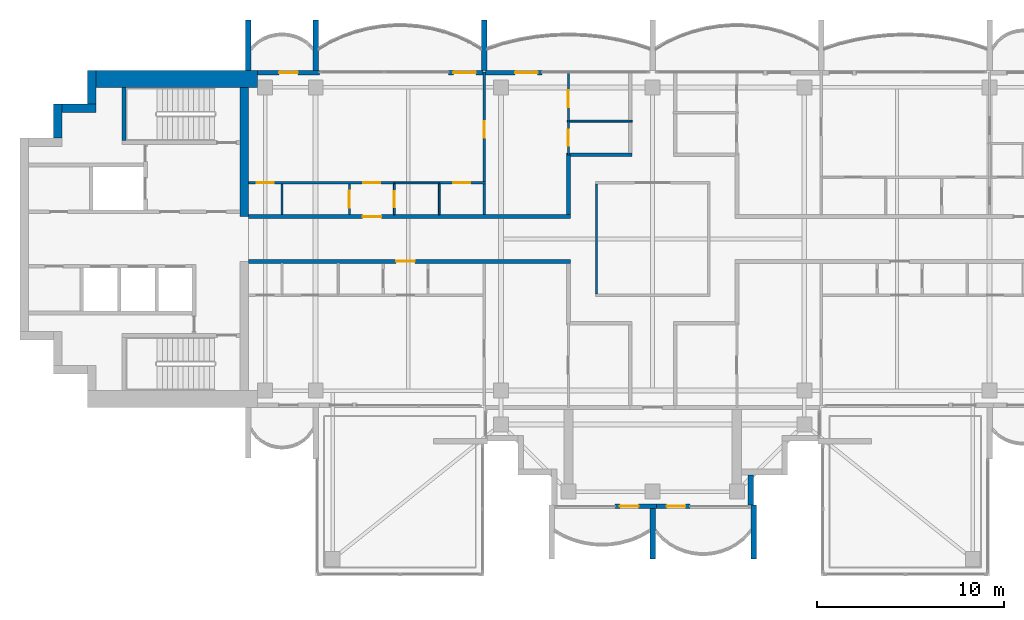
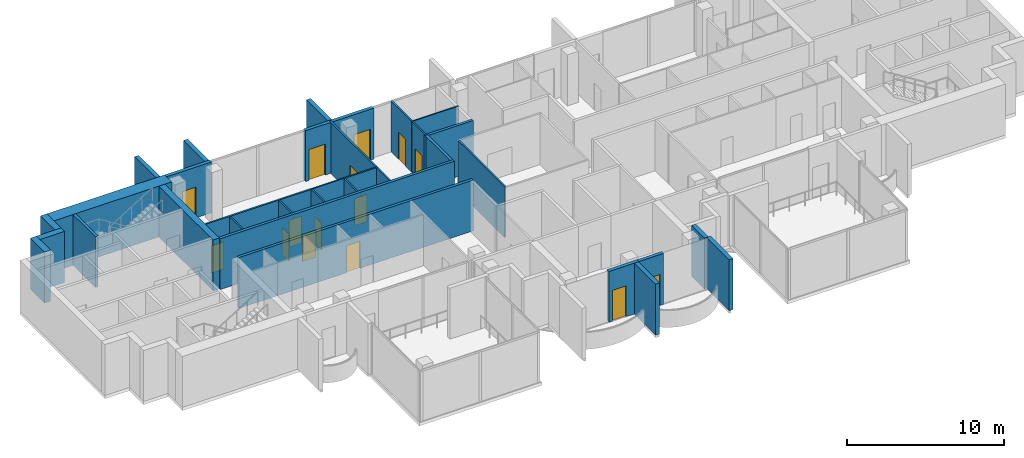
# One storey, part 8 of 16: 33 walls, 15 doors, 15 openings.
"""IFC4 building model written with IfcOpenShell, lengths in metres."""

import ifcopenshell
import ifcopenshell.guid

model = None  # the IFC model being written
_history = None  # IfcOwnerHistory: only IFC2X3 demands one
_inside = {}  # id of a spatial element -> (the spatial element, [elements in it])
_under = {}  # id of a project, library or spatial element -> (it, [spatial elements below it])
_declared = {}  # id of a project -> (the project, [libraries it declares])
_typed = {}  # id of a type object -> (the type object, [elements of that type])
_made_of = {}  # id of a material, layer set ... -> (it, [elements and type objects made of it])


def new_model(schema):
    """Start an empty IFC model of exactly this schema.

    Asked for "IFC4X3", IfcOpenShell would pick the latest addendum, in which some entities
    have other attributes; the version numbers below select the first issue.
    IFC2X3 requires an IfcOwnerHistory on every rooted entity: one is made here for all.
    """
    global model, _history
    if schema == "IFC4X3":
        model = ifcopenshell.file(schema_version=(4, 3, 0, 0))
    else:
        model = ifcopenshell.file(schema=schema)
    _inside.clear()
    _under.clear()
    _declared.clear()
    _typed.clear()
    _made_of.clear()
    _history = None
    if model.schema == "IFC2X3":
        org = make("IfcOrganization", Name="unknown")
        user = make(
            "IfcPersonAndOrganization",
            ThePerson=make("IfcPerson", FamilyName="unknown"),
            TheOrganization=org,
        )
        app = make(
            "IfcApplication",
            ApplicationDeveloper=org,
            Version="unknown",
            ApplicationFullName="unknown",
            ApplicationIdentifier="unknown",
        )
        _history = make(
            "IfcOwnerHistory",
            OwningUser=user,
            OwningApplication=app,
            ChangeAction="ADDED",
            CreationDate=0,
        )
    return model


def make(cls, **values):
    """One entity of the class cls with the attributes given. An attribute that is None is left unset."""
    return model.create_entity(
        cls, **{name: value for name, value in values.items() if value is not None}
    )


def rooted(cls, **values):
    """An entity with a GlobalId (a new one), such as an element, a storey or a relation."""
    return make(cls, GlobalId=ifcopenshell.guid.new(), OwnerHistory=_history, **values)


def si_unit(unit_type, name, prefix=None):
    """IfcSIUnit, for example si_unit("LENGTHUNIT", "METRE", prefix="MILLI")."""
    return make("IfcSIUnit", UnitType=unit_type, Prefix=prefix, Name=name)


def assignment(units):
    """IfcUnitAssignment: the units of a project."""
    return None if units is None else make("IfcUnitAssignment", Units=units)


def point(xyz):
    """IfcCartesianPoint."""
    return None if xyz is None else make("IfcCartesianPoint", Coordinates=xyz)


def direction(xyz):
    """IfcDirection."""
    return None if xyz is None else make("IfcDirection", DirectionRatios=xyz)


def frame(location, z_axis=None, x_axis=None):
    """IfcAxis2Placement3D, a coordinate frame: its origin and axes. An axis left out is left unset."""
    return make(
        "IfcAxis2Placement3D",
        Location=point(location),
        Axis=direction(z_axis),
        RefDirection=direction(x_axis),
    )


def frame_2d(location, x_axis=None):
    """IfcAxis2Placement2D, a coordinate frame in the plane: its origin and x axis."""
    return make(
        "IfcAxis2Placement2D", Location=point(location), RefDirection=direction(x_axis)
    )


def origin():
    """The frame at (0, 0, 0) with its axes left unset."""
    return frame((0.0, 0.0, 0.0))


def place(relative_to, where):
    """IfcLocalPlacement: puts the frame where relative to a parent placement (None: the world)."""
    return make(
        "IfcLocalPlacement", PlacementRelTo=relative_to, RelativePlacement=where
    )


def context(
    kind, dimensions, precision=None, world=None, true_north=None, identifier=None
):
    """IfcGeometricRepresentationContext, for example the 3D "Model" context."""
    return make(
        "IfcGeometricRepresentationContext",
        ContextIdentifier=identifier,
        ContextType=kind,
        CoordinateSpaceDimension=dimensions,
        Precision=precision,
        WorldCoordinateSystem=world,
        TrueNorth=true_north,
    )


def subcontext(parent, identifier, kind, view, scale=None):
    """IfcGeometricRepresentationSubContext, for example "Body" below "Model"."""
    return make(
        "IfcGeometricRepresentationSubContext",
        ContextIdentifier=identifier,
        ContextType=kind,
        ParentContext=parent,
        TargetScale=scale,
        TargetView=view,
    )


def project(units=None, contexts=None):
    """IfcProject with its units and contexts."""
    return rooted(
        "IfcProject",
        Name="project",
        RepresentationContexts=contexts,
        UnitsInContext=assignment(units),
    )


def spatial(cls, under=None, at=None, **own):
    """A site, building, storey or space (cls), placed at a placement, below another one or the project."""
    s = rooted(cls, ObjectPlacement=at, **own)
    if under is not None:
        _under.setdefault(under.id(), (under, []))[1].append(s)
    return s


def profile(cls, at=None, kind="AREA", **sizes):
    """A parametric profile (cls). Its sizes go by their IFC names, for example OverallWidth=200.0."""
    return make(cls, ProfileType=kind, Position=at, **sizes)


def rectangle(**sizes):
    """IfcRectangleProfileDef."""
    return profile("IfcRectangleProfileDef", **sizes)


def extrude(swept, where, along, depth):
    """IfcExtrudedAreaSolid: the profile swept, set in the frame where, extruded along a direction by depth."""
    return make(
        "IfcExtrudedAreaSolid",
        SweptArea=swept,
        Position=where,
        ExtrudedDirection=direction(along),
        Depth=depth,
    )


def shape(context_of_items, identifier, shape_type, items):
    """IfcShapeRepresentation: the items that make up one representation, for example the "Body"."""
    return make(
        "IfcShapeRepresentation",
        ContextOfItems=context_of_items,
        RepresentationIdentifier=identifier,
        RepresentationType=shape_type,
        Items=items,
    )


def material(Name=None, Category=None):
    """IfcMaterial."""
    return make("IfcMaterial", Name=Name, Category=Category)


def layer(
    of_material, thickness, ventilated=None, Name=None, Category=None, Priority=None
):
    """IfcMaterialLayer: one layer of a wall or slab, of a material (None: an air gap)."""
    return make(
        "IfcMaterialLayer",
        Material=of_material,
        LayerThickness=thickness,
        IsVentilated=ventilated,
        Name=Name,
        Category=Category,
        Priority=Priority,
    )


def layer_set(layers, Name=None):
    """IfcMaterialLayerSet."""
    return make("IfcMaterialLayerSet", MaterialLayers=layers, LayerSetName=Name)


def made_of(thing, what):
    """Note that an element or type object is made of a material, layer set ...; save() writes the relation."""
    if what is not None:
        _made_of.setdefault(what.id(), (what, []))[1].append(thing)
    return thing


def type_object(cls, material=None, **own):
    """A type object (cls), such as IfcWallType, which elements share."""
    return made_of(rooted(cls, **own), material)


def element(
    cls,
    number,
    at=None,
    inside=None,
    cuts=None,
    type_object=None,
    material=None,
    context=None,
    identifier="Body",
    shape_type=None,
    held_by="IfcProductDefinitionShape",
    body=None,
    shapes=None,
    **own,
):
    """One element of the class cls, such as IfcWall. Its Tag is "e" and its number.

    at: its placement. inside: the storey or other place that contains it. cuts: it is an
    opening in that element (IfcRelVoidsElement). A single representation is given by context,
    identifier, shape_type and body (its items); several are given by shapes. held_by: the class
    of the entity that holds the representations. save() writes the other relations.
    """
    e = rooted(cls, Tag="e%d" % number, ObjectPlacement=at, **own)
    if body is not None:
        shapes = [shape(context, identifier, shape_type, body)]
    if shapes is not None:
        e.Representation = make(held_by, Representations=shapes)
    if inside is not None:
        _inside.setdefault(inside.id(), (inside, []))[1].append(e)
    if cuts is not None:
        rooted(
            "IfcRelVoidsElement", RelatingBuildingElement=cuts, RelatedOpeningElement=e
        )
    if type_object is not None:
        _typed.setdefault(type_object.id(), (type_object, []))[1].append(e)
    return made_of(e, material)


def fill(opening, filler):
    """IfcRelFillsElement: the door or window that sits in an opening."""
    return rooted(
        "IfcRelFillsElement",
        RelatingOpeningElement=opening,
        RelatedBuildingElement=filler,
    )


def aggregate(whole, parts):
    """IfcRelAggregates: a whole, such as a stair, and the parts it consists of."""
    return rooted("IfcRelAggregates", RelatingObject=whole, RelatedObjects=parts)


def save(model, path):
    """Write the relations noted so far, then the file.

    IfcRelAggregates (storeys below a building ...), IfcRelContainedInSpatialStructure (elements
    in a storey), IfcRelDefinesByType, IfcRelAssociatesMaterial and IfcRelDeclares: one each for
    every whole, place, type object, material and project.
    """
    for whole, parts in _under.values():
        aggregate(whole, parts)
    for where, things in _inside.values():
        rooted(
            "IfcRelContainedInSpatialStructure",
            RelatedElements=things,
            RelatingStructure=where,
        )
    for kind, things in _typed.values():
        rooted("IfcRelDefinesByType", RelatedObjects=things, RelatingType=kind)
    for what, things in _made_of.values():
        rooted("IfcRelAssociatesMaterial", RelatedObjects=things, RelatingMaterial=what)
    for by, libraries in _declared.values():
        rooted("IfcRelDeclares", RelatingContext=by, RelatedDefinitions=libraries)
    model.write(path)


model = new_model("IFC4")

# Units and contexts
model_context = context("Model", 3, precision=1e-05, world=origin(), true_north=direction((0.0, 1.0)))
body_context = subcontext(model_context, "Body", "Model", "MODEL_VIEW")
ifc_project = project(units=[si_unit("LENGTHUNIT", "METRE"), si_unit("AREAUNIT", "SQUARE_METRE"), si_unit("VOLUMEUNIT", "CUBIC_METRE"), si_unit("PLANEANGLEUNIT", "RADIAN"), si_unit("MASSUNIT", "GRAM", prefix="KILO")], contexts=[model_context])

# Site, building, storey
site_placement = place(None, origin())
site = spatial("IfcSite", under=ifc_project, at=site_placement, CompositionType="ELEMENT")
building_placement = place(site_placement, origin())
building = spatial("IfcBuilding", under=site, at=building_placement, Name="Perihelion Cross Residences", CompositionType="ELEMENT")
storey_placement = place(building_placement, frame((0.0, 0.0, 294.60009765625)))
storey = spatial("IfcBuildingStorey", under=building, at=storey_placement, Name="L75", CompositionType="ELEMENT", Elevation=294.60009765625)

# Wall, opening, door
ifc_material_1 = material(Name="Plasterboard partition")
ifc_layer_1 = layer(ifc_material_1, 0.199951171875)
ifc_layer_set_1 = layer_set([ifc_layer_1], Name="Apartment separation wall 200")
wall_type_1 = type_object("IfcWallType", Name="Apartment separation wall 200", PredefinedType="PARTITIONING", material=ifc_layer_set_1)
wall_1_placement = place(storey_placement, frame((-21.60009765625, 1.199951171875, 0.0), z_axis=(0.0, 0.0, 1.0), x_axis=(1.0, 0.0, 0.0)))
wall_1 = element("IfcWall", 1, at=wall_1_placement, inside=storey, type_object=wall_type_1, Name="Partition L75 W013", PredefinedType="PARTITIONING", context=body_context, shape_type="SweptSolid", body=[
    extrude(rectangle(XDim=17.2001953125, YDim=0.199951171875, at=frame_2d((8.60009765625, 0.0))), origin(), (0.0, 0.0, 1.0), 3.949951171875),
])
opening_1_placement = place(wall_1_placement, frame((6.10009765625, 0.0, 0.0)))
opening_1 = element("IfcOpeningElement", 2, at=opening_1_placement, cuts=wall_1, Name="Opening L75.A37", PredefinedType="OPENING", context=body_context, shape_type="SweptSolid", body=[
    extrude(rectangle(XDim=1.0, YDim=2.10009765625, at=frame_2d((0.5, 1.050048828125))), frame((0.0, 0.10986328125, 0.0), z_axis=(0.0, -1.0, 0.0), x_axis=(1.0, 0.0, 0.0)), (0.0, 0.0, 1.0), 0.219970703125),
])
ifc_material_2 = material(Name="Timber door leaf", Category="wood")
door_type_1 = type_object("IfcDoorType", Name="Flat entrance door 1000 x 2100", OperationType="SINGLE_SWING_LEFT", PredefinedType="DOOR", material=ifc_material_2)
door_1_placement = place(opening_1_placement, origin())
door_1 = element("IfcDoor", 3, at=door_1_placement, inside=storey, type_object=door_type_1, Name="Door L75.A37", OperationType="SINGLE_SWING_LEFT", OverallHeight=2.10009765625, OverallWidth=1.0, PredefinedType="DOOR", context=body_context, shape_type="SweptSolid", body=[
    extrude(rectangle(XDim=1.0, YDim=2.10009765625, at=frame_2d((0.5, 1.050048828125))), frame((0.0, 0.02490234375, 0.0), z_axis=(0.0, -1.0, 0.0), x_axis=(1.0, 0.0, 0.0)), (0.0, 0.0, 1.0), 0.050048828125),
])
fill(opening_1, door_1)

# Walls
wall_2_placement = place(storey_placement, frame((-4.5, 1.300048828125, 0.0), z_axis=(0.0, 0.0, 1.0), x_axis=(0.0, 1.0, 0.0)))
element("IfcWall", 4, at=wall_2_placement, inside=storey, type_object=wall_type_1, Name="Partition L75 W014", PredefinedType="PARTITIONING", context=body_context, shape_type="SweptSolid", body=[
    extrude(rectangle(XDim=3.199951171875, YDim=0.199951171875, at=frame_2d((1.60009765625, 0.0))), origin(), (0.0, 0.0, 1.0), 3.949951171875),
])
wall_3_placement = place(storey_placement, frame((-4.60009765625, 4.5, 0.0), z_axis=(0.0, 0.0, 1.0), x_axis=(1.0, 0.0, 0.0)))
element("IfcWall", 5, at=wall_3_placement, inside=storey, type_object=wall_type_1, Name="Partition L75 W015", PredefinedType="PARTITIONING", context=body_context, shape_type="SweptSolid", body=[
    extrude(rectangle(XDim=3.5, YDim=0.199951171875, at=frame_2d((1.75, 0.0))), origin(), (0.0, 0.0, 1.0), 3.949951171875),
])

# Wall, opening, door
wall_4_placement = place(storey_placement, frame((-4.39990234375, -1.199951171875, 0.0), z_axis=(0.0, 0.0, 1.0), x_axis=(-1.0, 0.0, 0.0)))
wall_4 = element("IfcWall", 6, at=wall_4_placement, inside=storey, type_object=wall_type_1, Name="Partition L75 W017", PredefinedType="PARTITIONING", context=body_context, shape_type="SweptSolid", body=[
    extrude(rectangle(XDim=17.2001953125, YDim=0.199951171875, at=frame_2d((8.60009765625, 0.0))), origin(), (0.0, 0.0, 1.0), 3.949951171875),
])
opening_2_placement = place(wall_4_placement, frame((8.300048828125, 0.0, 0.0)))
opening_2 = element("IfcOpeningElement", 7, at=opening_2_placement, cuts=wall_4, Name="Opening L75.A38", PredefinedType="OPENING", context=body_context, shape_type="SweptSolid", body=[
    extrude(rectangle(XDim=1.0, YDim=2.10009765625, at=frame_2d((0.5, 1.050048828125))), frame((0.0, 0.10986328125, 0.0), z_axis=(0.0, -1.0, 0.0), x_axis=(1.0, 0.0, 0.0)), (0.0, 0.0, 1.0), 0.219970703125),
])
door_2_placement = place(opening_2_placement, origin())
door_2 = element("IfcDoor", 8, at=door_2_placement, inside=storey, type_object=door_type_1, Name="Door L75.A38", OperationType="SINGLE_SWING_LEFT", OverallHeight=2.10009765625, OverallWidth=1.0, PredefinedType="DOOR", context=body_context, shape_type="SweptSolid", body=[
    extrude(rectangle(XDim=1.0, YDim=2.10009765625, at=frame_2d((0.5, 1.050048828125))), frame((0.0, 0.02490234375, 0.0), z_axis=(0.0, -1.0, 0.0), x_axis=(1.0, 0.0, 0.0)), (0.0, 0.0, 1.0), 0.050048828125),
])
fill(opening_2, door_2)

ifc_material_3 = material(Name="Concrete C30/37, bronze-clad", Category="concrete")
ifc_layer_2 = layer(ifc_material_3, 0.25)
ifc_layer_set_2 = layer_set([ifc_layer_2], Name="Bronze-clad pier wall 250")
wall_type_2 = type_object("IfcWallType", Name="Bronze-clad pier wall 250", PredefinedType="SOLIDWALL", material=ifc_layer_set_2)
wall_5_placement = place(storey_placement, frame((-5.89990234375, 8.875, 0.0), z_axis=(0.0, 0.0, 1.0), x_axis=(-1.0, 0.0, 0.0)))
wall_5 = element("IfcWall", 9, at=wall_5_placement, inside=storey, type_object=wall_type_2, Name="Wall FW1 L75 north side east bay 2 pier", PredefinedType="SOLIDWALL", context=body_context, shape_type="SweptSolid", body=[
    extrude(rectangle(XDim=3.0400390625, YDim=0.25, at=frame_2d((1.52001953125, 0.0))), origin(), (0.0, 0.0, 1.0), 3.949951171875),
])
opening_3_placement = place(wall_5_placement, frame((0.25, 0.0, 0.0)))
opening_3 = element("IfcOpeningElement", 10, at=opening_3_placement, cuts=wall_5, Name="Opening L75.E04", PredefinedType="OPENING", context=body_context, shape_type="SweptSolid", body=[
    extrude(rectangle(XDim=1.199951171875, YDim=2.39990234375, at=frame_2d((0.60009765625, 1.199951171875))), frame((0.0, 0.135009765625, 0.0), z_axis=(0.0, -1.0, 0.0), x_axis=(1.0, 0.0, 0.0)), (0.0, 0.0, 1.0), 0.27001953125),
])
ifc_material_4 = material(Name="Bronze anodised aluminium, glazed", Category="aluminium")
door_type_2 = type_object("IfcDoorType", Name="Balcony door 1200 x 2400", OperationType="NOTDEFINED", PredefinedType="DOOR", material=ifc_material_4)
door_3_placement = place(opening_3_placement, origin())
door_3 = element("IfcDoor", 11, at=door_3_placement, inside=storey, type_object=door_type_2, Name="Door L75.E04 north side east bay 2", OperationType="SINGLE_SWING_RIGHT", OverallHeight=2.39990234375, OverallWidth=1.199951171875, PredefinedType="DOOR", context=body_context, shape_type="SweptSolid", body=[
    extrude(rectangle(XDim=1.199951171875, YDim=2.39990234375, at=frame_2d((0.60009765625, 1.199951171875))), frame((0.0, 0.02490234375, 0.0), z_axis=(0.0, -1.0, 0.0), x_axis=(1.0, 0.0, 0.0)), (0.0, 0.0, 1.0), 0.050048828125),
])
fill(opening_3, door_3)

wall_6_placement = place(storey_placement, frame((-9.06005859375, 8.875, 0.0), z_axis=(0.0, 0.0, 1.0), x_axis=(-1.0, 0.0, 0.0)))
wall_6 = element("IfcWall", 12, at=wall_6_placement, inside=storey, type_object=wall_type_2, Name="Wall FW1 L75 west side north bay 1 pier", PredefinedType="SOLIDWALL", context=body_context, shape_type="SweptSolid", body=[
    extrude(rectangle(XDim=1.83984375, YDim=0.25, at=frame_2d((0.919921875, 0.0))), origin(), (0.0, 0.0, 1.0), 3.949951171875),
])
opening_4_placement = place(wall_6_placement, frame((0.389892578125, 0.0, 0.0)))
opening_4 = element("IfcOpeningElement", 13, at=opening_4_placement, cuts=wall_6, Name="Opening L75.E05", PredefinedType="OPENING", context=body_context, shape_type="SweptSolid", body=[
    extrude(rectangle(XDim=1.199951171875, YDim=2.39990234375, at=frame_2d((0.60009765625, 1.199951171875))), frame((0.0, 0.135009765625, 0.0), z_axis=(0.0, -1.0, 0.0), x_axis=(1.0, 0.0, 0.0)), (0.0, 0.0, 1.0), 0.27001953125),
])
door_4_placement = place(opening_4_placement, origin())
door_4 = element("IfcDoor", 14, at=door_4_placement, inside=storey, type_object=door_type_2, Name="Door L75.E05 west side north bay 1", OperationType="SINGLE_SWING_LEFT", OverallHeight=2.39990234375, OverallWidth=1.199951171875, PredefinedType="DOOR", context=body_context, shape_type="SweptSolid", body=[
    extrude(rectangle(XDim=1.199951171875, YDim=2.39990234375, at=frame_2d((0.60009765625, 1.199951171875))), frame((0.0, 0.02490234375, 0.0), z_axis=(0.0, -1.0, 0.0), x_axis=(1.0, 0.0, 0.0)), (0.0, 0.0, 1.0), 0.050048828125),
])
fill(opening_4, door_4)

wall_7_placement = place(storey_placement, frame((-17.800048828125, 8.875, 0.0), z_axis=(0.0, 0.0, 1.0), x_axis=(-1.0, 0.0, 0.0)))
wall_7 = element("IfcWall", 15, at=wall_7_placement, inside=storey, type_object=wall_type_2, Name="Wall FW1 L75 west side north bay 2 pier", PredefinedType="SOLIDWALL", context=body_context, shape_type="SweptSolid", body=[
    extrude(rectangle(XDim=3.300048828125, YDim=0.25, at=frame_2d((1.64990234375, 0.0))), origin(), (0.0, 0.0, 1.0), 3.949951171875),
])
opening_5_placement = place(wall_7_placement, frame((1.14990234375, 0.0, 0.0)))
opening_5 = element("IfcOpeningElement", 16, at=opening_5_placement, cuts=wall_7, Name="Opening L75.E06", PredefinedType="OPENING", context=body_context, shape_type="SweptSolid", body=[
    extrude(rectangle(XDim=1.0, YDim=2.39990234375, at=frame_2d((0.5, 1.199951171875))), frame((0.0, 0.135009765625, 0.0), z_axis=(0.0, -1.0, 0.0), x_axis=(1.0, 0.0, 0.0)), (0.0, 0.0, 1.0), 0.27001953125),
])
ifc_material_5 = material(Name="Bronze anodised aluminium, glazed", Category="aluminium")
door_type_3 = type_object("IfcDoorType", Name="Balcony door 1000 x 2400", OperationType="NOTDEFINED", PredefinedType="DOOR", material=ifc_material_5)
door_5_placement = place(opening_5_placement, origin())
door_5 = element("IfcDoor", 17, at=door_5_placement, inside=storey, type_object=door_type_3, Name="Door L75.E06 west side north bay 2", OperationType="SINGLE_SWING_RIGHT", OverallHeight=2.39990234375, OverallWidth=1.0, PredefinedType="DOOR", context=body_context, shape_type="SweptSolid", body=[
    extrude(rectangle(XDim=1.0, YDim=2.39990234375, at=frame_2d((0.5, 1.199951171875))), frame((0.0, 0.02490234375, 0.0), z_axis=(0.0, -1.0, 0.0), x_axis=(1.0, 0.0, 0.0)), (0.0, 0.0, 1.0), 0.050048828125),
])
fill(opening_5, door_5)

wall_8_placement = place(storey_placement, frame((-2.0, -14.27490234375, 0.0), z_axis=(0.0, 0.0, 1.0), x_axis=(1.0, 0.0, 0.0)))
wall_8 = element("IfcWall", 18, at=wall_8_placement, inside=storey, type_object=wall_type_2, Name="Wall FW1 L75 south tip south bay 1 pier", PredefinedType="SOLIDWALL", context=body_context, shape_type="SweptSolid", body=[
    extrude(rectangle(XDim=2.199951171875, YDim=0.25, at=frame_2d((1.10009765625, 0.0))), origin(), (0.0, 0.0, 1.0), 3.949951171875),
])
opening_6_placement = place(wall_8_placement, frame((0.25, 0.0, 0.0)))
opening_6 = element("IfcOpeningElement", 19, at=opening_6_placement, cuts=wall_8, Name="Opening L75.E09", PredefinedType="OPENING", context=body_context, shape_type="SweptSolid", body=[
    extrude(rectangle(XDim=1.0, YDim=2.39990234375, at=frame_2d((0.5, 1.199951171875))), frame((0.0, 0.135009765625, 0.0), z_axis=(0.0, -1.0, 0.0), x_axis=(1.0, 0.0, 0.0)), (0.0, 0.0, 1.0), 0.27001953125),
])
door_6_placement = place(opening_6_placement, origin())
door_6 = element("IfcDoor", 20, at=door_6_placement, inside=storey, type_object=door_type_3, Name="Door L75.E09 south tip south bay 1", OperationType="SINGLE_SWING_RIGHT", OverallHeight=2.39990234375, OverallWidth=1.0, PredefinedType="DOOR", context=body_context, shape_type="SweptSolid", body=[
    extrude(rectangle(XDim=1.0, YDim=2.39990234375, at=frame_2d((0.5, 1.199951171875))), frame((0.0, 0.02490234375, 0.0), z_axis=(0.0, -1.0, 0.0), x_axis=(1.0, 0.0, 0.0)), (0.0, 0.0, 1.0), 0.050048828125),
])
fill(opening_6, door_6)

wall_9_placement = place(storey_placement, frame((0.199951171875, -14.27490234375, 0.0), z_axis=(0.0, 0.0, 1.0), x_axis=(1.0, 0.0, 0.0)))
wall_9 = element("IfcWall", 21, at=wall_9_placement, inside=storey, type_object=wall_type_2, Name="Wall FW1 L75 south tip south bay 2 pier", PredefinedType="SOLIDWALL", context=body_context, shape_type="SweptSolid", body=[
    extrude(rectangle(XDim=1.800048828125, YDim=0.25, at=frame_2d((0.89990234375, 0.0))), origin(), (0.0, 0.0, 1.0), 3.949951171875),
])
opening_7_placement = place(wall_9_placement, frame((0.550048828125, 0.0, 0.0)))
opening_7 = element("IfcOpeningElement", 22, at=opening_7_placement, cuts=wall_9, Name="Opening L75.E10", PredefinedType="OPENING", context=body_context, shape_type="SweptSolid", body=[
    extrude(rectangle(XDim=1.0, YDim=2.39990234375, at=frame_2d((0.5, 1.199951171875))), frame((0.0, 0.135009765625, 0.0), z_axis=(0.0, -1.0, 0.0), x_axis=(1.0, 0.0, 0.0)), (0.0, 0.0, 1.0), 0.27001953125),
])
door_7_placement = place(opening_7_placement, origin())
door_7 = element("IfcDoor", 23, at=door_7_placement, inside=storey, type_object=door_type_3, Name="Door L75.E10 south tip south bay 2", OperationType="SINGLE_SWING_LEFT", OverallHeight=2.39990234375, OverallWidth=1.0, PredefinedType="DOOR", context=body_context, shape_type="SweptSolid", body=[
    extrude(rectangle(XDim=1.0, YDim=2.39990234375, at=frame_2d((0.5, 1.199951171875))), frame((0.0, 0.02490234375, 0.0), z_axis=(0.0, -1.0, 0.0), x_axis=(1.0, 0.0, 0.0)), (0.0, 0.0, 1.0), 0.050048828125),
])
fill(opening_7, door_7)

# Walls
ifc_material_6 = material(Name="Concrete C30/37, bronze-clad", Category="concrete")
ifc_layer_3 = layer(ifc_material_6, 0.300048828125)
ifc_layer_set_3 = layer_set([ifc_layer_3], Name="Bronze-clad serration wall 300")
wall_type_3 = type_object("IfcWallType", Name="Bronze-clad serration wall 300", PredefinedType="SOLIDWALL", material=ifc_layer_set_3)
wall_10_placement = place(storey_placement, frame((5.25, -14.219970703125, 0.0), z_axis=(0.0, 0.0, 1.0), x_axis=(0.0, 1.0, 0.0)))
element("IfcWall", 24, at=wall_10_placement, inside=storey, type_object=wall_type_3, Name="Wall SR1 L75 south corner south-east 1", PredefinedType="SOLIDWALL", context=body_context, shape_type="SweptSolid", body=[
    extrude(rectangle(XDim=1.619873046875, YDim=0.300048828125, at=frame_2d((0.81005859375, 0.0))), origin(), (0.0, 0.0, 1.0), 3.949951171875),
])
ifc_material_7 = material(Name="Concrete C60/75", Category="concrete")
ifc_layer_4 = layer(ifc_material_7, 0.449951171875)
ifc_layer_set_4 = layer_set([ifc_layer_4], Name="Core wall, inner 450")
wall_type_4 = type_object("IfcWallType", Name="Core wall, inner 450", PredefinedType="SHEAR", material=ifc_layer_set_4)
wall_11_placement = place(storey_placement, frame((-21.824951171875, 1.199951171875, 0.0), z_axis=(0.0, 0.0, 1.0), x_axis=(0.0, 1.0, 0.0)))
element("IfcWall", 25, at=wall_11_placement, inside=storey, type_object=wall_type_4, Name="West core core wall, inner", PredefinedType="SHEAR", context=body_context, shape_type="SweptSolid", body=[
    extrude(rectangle(XDim=6.900146484375, YDim=0.449951171875, at=frame_2d((3.4501953125, 0.0))), origin(), (0.0, 0.0, 1.0), 3.949951171875),
])
ifc_material_8 = material(Name="Concrete C60/75", Category="concrete")
ifc_layer_5 = layer(ifc_material_8, 0.449951171875)
ifc_layer_set_5 = layer_set([ifc_layer_5], Name="Core wall, outer 450")
wall_type_5 = type_object("IfcWallType", Name="Core wall, outer 450", PredefinedType="SHEAR", material=ifc_layer_set_5)
for number, where, z_axis, x_axis, name in (
    (26, (-31.77490234375, 5.39990234375, 0.0), (0.0, 0.0, 1.0), (0.0, 1.0, 0.0), "West core core wall, outer"),
    (27, (-31.550048828125, 6.97509765625, 0.0), (0.0, 0.0, 1.0), (1.0, 0.0, 0.0), "West core core wall, outer"),
    (28, (-29.97509765625, 7.199951171875, 0.0), (0.0, 0.0, 1.0), (0.0, 1.0, 0.0), "West core core wall, outer"),
):
    element("IfcWall", number, at=place(storey_placement, frame(where, z_axis=z_axis, x_axis=x_axis)), inside=storey, type_object=wall_type_5, Name=name, PredefinedType="SHEAR", context=body_context, shape_type="SweptSolid", body=[
        extrude(rectangle(XDim=1.800048828125, YDim=0.449951171875, at=frame_2d((0.89990234375, 0.0))), origin(), (0.0, 0.0, 1.0), 3.949951171875),
    ])
ifc_material_9 = material(Name="Concrete C60/75", Category="concrete")
ifc_layer_6 = layer(ifc_material_9, 0.89990234375)
ifc_layer_set_6 = layer_set([ifc_layer_6], Name="Core wall, outer 900")
wall_type_6 = type_object("IfcWallType", Name="Core wall, outer 900", PredefinedType="SHEAR", material=ifc_layer_set_6)
wall_12_placement = place(storey_placement, frame((-29.75, 8.550048828125, 0.0), z_axis=(0.0, 0.0, 1.0), x_axis=(1.0, 0.0, 0.0)))
element("IfcWall", 29, at=wall_12_placement, inside=storey, type_object=wall_type_6, Name="West core core wall, outer", PredefinedType="SHEAR", context=body_context, shape_type="SweptSolid", body=[
    extrude(rectangle(XDim=8.64990234375, YDim=0.89990234375, at=frame_2d((4.324951171875, 0.0))), origin(), (0.0, 0.0, 1.0), 3.949951171875),
])
ifc_material_10 = material(Name="Plasterboard partition")
ifc_layer_7 = layer(ifc_material_10, 0.1201171875)
ifc_layer_set_7 = layer_set([ifc_layer_7], Name="Partition wall 120")
wall_type_7 = type_object("IfcWallType", Name="Partition wall 120", PredefinedType="PARTITIONING", material=ifc_layer_set_7)
wall_13_placement = place(storey_placement, frame((-3.0, 2.93994140625, 0.0), z_axis=(0.0, 0.0, 1.0), x_axis=(0.0, -1.0, 0.0)))
element("IfcWall", 30, at=wall_13_placement, inside=storey, type_object=wall_type_7, Name="Partition L75 W004", PredefinedType="PARTITIONING", context=body_context, shape_type="SweptSolid", body=[
    extrude(rectangle(XDim=5.8798828125, YDim=0.1201171875, at=frame_2d((2.93994140625, 0.0))), origin(), (0.0, 0.0, 1.0), 3.949951171875),
])

# Wall, opening, door
wall_14_placement = place(storey_placement, frame((-11.39990234375, 3.0, 0.0), z_axis=(0.0, 0.0, 1.0), x_axis=(1.0, 0.0, 0.0)))
wall_14 = element("IfcWall", 31, at=wall_14_placement, inside=storey, type_object=wall_type_7, Name="Partition L75 W048", PredefinedType="PARTITIONING", context=body_context, shape_type="SweptSolid", body=[
    extrude(rectangle(XDim=2.4599609375, YDim=0.1201171875, at=frame_2d((1.22998046875, 0.0))), origin(), (0.0, 0.0, 1.0), 3.949951171875),
])
opening_8_placement = place(wall_14_placement, frame((0.75, 0.0, 0.0)))
opening_8 = element("IfcOpeningElement", 32, at=opening_8_placement, cuts=wall_14, Name="Opening L75.A26", PredefinedType="OPENING", context=body_context, shape_type="SweptSolid", body=[
    extrude(rectangle(XDim=0.89990234375, YDim=2.10009765625, at=frame_2d((0.449951171875, 1.050048828125))), frame((0.0, 0.070068359375, 0.0), z_axis=(0.0, -1.0, 0.0), x_axis=(1.0, 0.0, 0.0)), (0.0, 0.0, 1.0), 0.14013671875),
])
ifc_material_11 = material(Name="Timber door leaf", Category="wood")
door_type_4 = type_object("IfcDoorType", Name="Interior room door 900 x 2100", OperationType="SINGLE_SWING_LEFT", PredefinedType="DOOR", material=ifc_material_11)
door_8_placement = place(opening_8_placement, origin())
door_8 = element("IfcDoor", 33, at=door_8_placement, inside=storey, type_object=door_type_4, Name="Door L75.A26", OperationType="SINGLE_SWING_RIGHT", OverallHeight=2.10009765625, OverallWidth=0.89990234375, PredefinedType="DOOR", context=body_context, shape_type="SweptSolid", body=[
    extrude(rectangle(XDim=0.89990234375, YDim=2.10009765625, at=frame_2d((0.449951171875, 1.050048828125))), frame((0.0, 0.02490234375, 0.0), z_axis=(0.0, -1.0, 0.0), x_axis=(1.0, 0.0, 0.0)), (0.0, 0.0, 1.0), 0.050048828125),
])
fill(opening_8, door_8)

wall_15_placement = place(storey_placement, frame((-9.0, 8.919921875, 0.0), z_axis=(0.0, 0.0, 1.0), x_axis=(0.0, -1.0, 0.0)))
wall_15 = element("IfcWall", 34, at=wall_15_placement, inside=storey, type_object=wall_type_7, Name="Partition L75 W049", PredefinedType="PARTITIONING", context=body_context, shape_type="SweptSolid", body=[
    extrude(rectangle(XDim=7.619873046875, YDim=0.1201171875, at=frame_2d((3.81005859375, 0.0))), origin(), (0.0, 0.0, 1.0), 3.949951171875),
])
opening_9_placement = place(wall_15_placement, frame((2.6201171875, 0.0, 0.0)))
opening_9 = element("IfcOpeningElement", 35, at=opening_9_placement, cuts=wall_15, Name="Opening L75.A22", PredefinedType="OPENING", context=body_context, shape_type="SweptSolid", body=[
    extrude(rectangle(XDim=0.89990234375, YDim=2.10009765625, at=frame_2d((0.449951171875, 1.050048828125))), frame((0.0, 0.070068359375, 0.0), z_axis=(0.0, -1.0, 0.0), x_axis=(1.0, 0.0, 0.0)), (0.0, 0.0, 1.0), 0.14013671875),
])
door_9_placement = place(opening_9_placement, origin())
door_9 = element("IfcDoor", 36, at=door_9_placement, inside=storey, type_object=door_type_4, Name="Door L75.A22", OperationType="SINGLE_SWING_RIGHT", OverallHeight=2.10009765625, OverallWidth=0.89990234375, PredefinedType="DOOR", context=body_context, shape_type="SweptSolid", body=[
    extrude(rectangle(XDim=0.89990234375, YDim=2.10009765625, at=frame_2d((0.449951171875, 1.050048828125))), frame((0.0, 0.02490234375, 0.0), z_axis=(0.0, -1.0, 0.0), x_axis=(1.0, 0.0, 0.0)), (0.0, 0.0, 1.0), 0.050048828125),
])
fill(opening_9, door_9)

wall_16_placement = place(storey_placement, frame((-16.199951171875, 1.300048828125, 0.0), z_axis=(0.0, 0.0, 1.0), x_axis=(0.0, 1.0, 0.0)))
wall_16 = element("IfcWall", 37, at=wall_16_placement, inside=storey, type_object=wall_type_7, Name="Partition L75 W052", PredefinedType="PARTITIONING", context=body_context, shape_type="SweptSolid", body=[
    extrude(rectangle(XDim=1.639892578125, YDim=0.1201171875, at=frame_2d((0.81982421875, 0.0))), origin(), (0.0, 0.0, 1.0), 3.949951171875),
])
opening_10_placement = place(wall_16_placement, frame((0.3701171875, 0.0, 0.0)))
opening_10 = element("IfcOpeningElement", 38, at=opening_10_placement, cuts=wall_16, Name="Opening L75.A20", PredefinedType="OPENING", context=body_context, shape_type="SweptSolid", body=[
    extrude(rectangle(XDim=0.89990234375, YDim=2.10009765625, at=frame_2d((0.449951171875, 1.050048828125))), frame((0.0, 0.070068359375, 0.0), z_axis=(0.0, -1.0, 0.0), x_axis=(1.0, 0.0, 0.0)), (0.0, 0.0, 1.0), 0.14013671875),
])
door_10_placement = place(opening_10_placement, origin())
door_10 = element("IfcDoor", 39, at=door_10_placement, inside=storey, type_object=door_type_4, Name="Door L75.A20", OperationType="SINGLE_SWING_LEFT", OverallHeight=2.10009765625, OverallWidth=0.89990234375, PredefinedType="DOOR", context=body_context, shape_type="SweptSolid", body=[
    extrude(rectangle(XDim=0.89990234375, YDim=2.10009765625, at=frame_2d((0.449951171875, 1.050048828125))), frame((0.0, 0.02490234375, 0.0), z_axis=(0.0, -1.0, 0.0), x_axis=(1.0, 0.0, 0.0)), (0.0, 0.0, 1.0), 0.050048828125),
])
fill(opening_10, door_10)

# Wall, openings, doors
wall_17_placement = place(storey_placement, frame((-21.60009765625, 3.0, 0.0), z_axis=(0.0, 0.0, 1.0), x_axis=(1.0, 0.0, 0.0)))
wall_17 = element("IfcWall", 40, at=wall_17_placement, inside=storey, type_object=wall_type_7, Name="Partition L75 W053", PredefinedType="PARTITIONING", context=body_context, shape_type="SweptSolid", body=[
    extrude(rectangle(XDim=7.800048828125, YDim=0.1201171875, at=frame_2d((3.89990234375, 0.0))), origin(), (0.0, 0.0, 1.0), 3.949951171875),
])
opening_11_placement = place(wall_17_placement, frame((0.449951171875, 0.0, 0.0)))
opening_11 = element("IfcOpeningElement", 41, at=opening_11_placement, cuts=wall_17, Name="Opening L75.A21", PredefinedType="OPENING", context=body_context, shape_type="SweptSolid", body=[
    extrude(rectangle(XDim=0.89990234375, YDim=2.10009765625, at=frame_2d((0.449951171875, 1.050048828125))), frame((0.0, 0.070068359375, 0.0), z_axis=(0.0, -1.0, 0.0), x_axis=(1.0, 0.0, 0.0)), (0.0, 0.0, 1.0), 0.14013671875),
])
opening_12_placement = place(wall_17_placement, frame((6.14990234375, 0.0, 0.0)))
opening_12 = element("IfcOpeningElement", 42, at=opening_12_placement, cuts=wall_17, Name="Opening L75.A25", PredefinedType="OPENING", context=body_context, shape_type="SweptSolid", body=[
    extrude(rectangle(XDim=0.89990234375, YDim=2.10009765625, at=frame_2d((0.449951171875, 1.050048828125))), frame((0.0, 0.070068359375, 0.0), z_axis=(0.0, -1.0, 0.0), x_axis=(1.0, 0.0, 0.0)), (0.0, 0.0, 1.0), 0.14013671875),
])
door_11_placement = place(opening_11_placement, origin())
door_11 = element("IfcDoor", 43, at=door_11_placement, inside=storey, type_object=door_type_4, Name="Door L75.A21", OperationType="SINGLE_SWING_RIGHT", OverallHeight=2.10009765625, OverallWidth=0.89990234375, PredefinedType="DOOR", context=body_context, shape_type="SweptSolid", body=[
    extrude(rectangle(XDim=0.89990234375, YDim=2.10009765625, at=frame_2d((0.449951171875, 1.050048828125))), frame((0.0, 0.02490234375, 0.0), z_axis=(0.0, -1.0, 0.0), x_axis=(1.0, 0.0, 0.0)), (0.0, 0.0, 1.0), 0.050048828125),
])
fill(opening_11, door_11)
door_12_placement = place(opening_12_placement, origin())
door_12 = element("IfcDoor", 44, at=door_12_placement, inside=storey, type_object=door_type_4, Name="Door L75.A25", OperationType="SINGLE_SWING_RIGHT", OverallHeight=2.10009765625, OverallWidth=0.89990234375, PredefinedType="DOOR", context=body_context, shape_type="SweptSolid", body=[
    extrude(rectangle(XDim=0.89990234375, YDim=2.10009765625, at=frame_2d((0.449951171875, 1.050048828125))), frame((0.0, 0.02490234375, 0.0), z_axis=(0.0, -1.0, 0.0), x_axis=(1.0, 0.0, 0.0)), (0.0, 0.0, 1.0), 0.050048828125),
])
fill(opening_12, door_12)

# Wall
wall_18_placement = place(storey_placement, frame((-19.800048828125, 1.300048828125, 0.0), z_axis=(0.0, 0.0, 1.0), x_axis=(0.0, 1.0, 0.0)))
element("IfcWall", 45, at=wall_18_placement, inside=storey, type_object=wall_type_7, Name="Partition L75 W054", PredefinedType="PARTITIONING", context=body_context, shape_type="SweptSolid", body=[
    extrude(rectangle(XDim=1.639892578125, YDim=0.1201171875, at=frame_2d((0.81982421875, 0.0))), origin(), (0.0, 0.0, 1.0), 3.949951171875),
])

# Wall, opening, door
wall_19_placement = place(storey_placement, frame((-4.5, 8.919921875, 0.0), z_axis=(0.0, 0.0, 1.0), x_axis=(0.0, -1.0, 0.0)))
wall_19 = element("IfcWall", 46, at=wall_19_placement, inside=storey, type_object=wall_type_7, Name="Partition L75 W056", PredefinedType="PARTITIONING", context=body_context, shape_type="SweptSolid", body=[
    extrude(rectangle(XDim=2.619873046875, YDim=0.1201171875, at=frame_2d((1.31005859375, 0.0))), origin(), (0.0, 0.0, 1.0), 3.949951171875),
])
opening_13_placement = place(wall_19_placement, frame((0.969970703125, 0.0, 0.0)))
opening_13 = element("IfcOpeningElement", 47, at=opening_13_placement, cuts=wall_19, Name="Opening L75.A23", PredefinedType="OPENING", context=body_context, shape_type="SweptSolid", body=[
    extrude(rectangle(XDim=0.89990234375, YDim=2.10009765625, at=frame_2d((0.449951171875, 1.050048828125))), frame((0.0, 0.070068359375, 0.0), z_axis=(0.0, -1.0, 0.0), x_axis=(1.0, 0.0, 0.0)), (0.0, 0.0, 1.0), 0.14013671875),
])
door_13_placement = place(opening_13_placement, origin())
door_13 = element("IfcDoor", 48, at=door_13_placement, inside=storey, type_object=door_type_4, Name="Door L75.A23", OperationType="SINGLE_SWING_LEFT", OverallHeight=2.10009765625, OverallWidth=0.89990234375, PredefinedType="DOOR", context=body_context, shape_type="SweptSolid", body=[
    extrude(rectangle(XDim=0.89990234375, YDim=2.10009765625, at=frame_2d((0.449951171875, 1.050048828125))), frame((0.0, 0.02490234375, 0.0), z_axis=(0.0, -1.0, 0.0), x_axis=(1.0, 0.0, 0.0)), (0.0, 0.0, 1.0), 0.050048828125),
])
fill(opening_13, door_13)

# Walls
ifc_material_12 = material(Name="Precast concrete C50/60", Category="concrete")
ifc_layer_8 = layer(ifc_material_12, 0.300048828125)
ifc_layer_set_8 = layer_set([ifc_layer_8], Name="Precast concrete C50/60 blade wall 300")
wall_type_8 = type_object("IfcWallType", Name="Precast concrete C50/60 blade wall 300", PredefinedType="SOLIDWALL", material=ifc_layer_set_8)
for number, where, z_axis, x_axis, name in (
    (49, (-21.60009765625, 9.0, 0.0), (0.0, 0.0, 1.0), (0.0, 1.0, 0.0), "Wall BL1 L75 no. 4"),
    (50, (-18.0, 9.0, 0.0), (0.0, 0.0, 1.0), (0.0, 1.0, 0.0), "Wall BL1 L75 no. 2"),
    (51, (-9.0, 9.0, 0.0), (0.0, 0.0, 1.0), (0.0, 1.0, 0.0), "Wall BL1 L75 no. 7"),
):
    element("IfcWall", number, at=place(storey_placement, frame(where, z_axis=z_axis, x_axis=x_axis)), inside=storey, type_object=wall_type_8, Name=name, PredefinedType="SOLIDWALL", context=body_context, shape_type="SweptSolid", body=[
        extrude(rectangle(XDim=2.699951171875, YDim=0.300048828125, at=frame_2d((1.35009765625, 0.0))), origin(), (0.0, 0.0, 1.0), 3.949951171875),
    ])
wall_20_placement = place(storey_placement, frame((0.0, -14.39990234375, 0.0), z_axis=(0.0, 0.0, 1.0), x_axis=(0.0, -1.0, 0.0)))
element("IfcWall", 52, at=wall_20_placement, inside=storey, type_object=wall_type_8, Name="Wall BL1 L75 no. 8", PredefinedType="SOLIDWALL", context=body_context, shape_type="SweptSolid", body=[
    extrude(rectangle(XDim=2.7001953125, YDim=0.300048828125, at=frame_2d((1.35009765625, 0.0))), origin(), (0.0, 0.0, 1.0), 3.949951171875),
])
wall_21_placement = place(storey_placement, frame((5.39990234375, -14.219970703125, 0.0), z_axis=(0.0, 0.0, 1.0), x_axis=(0.0, -1.0, 0.0)))
element("IfcWall", 53, at=wall_21_placement, inside=storey, type_object=wall_type_8, Name="Wall BL1 L75 no. 14", PredefinedType="SOLIDWALL", context=body_context, shape_type="SweptSolid", body=[
    extrude(rectangle(XDim=2.880126953125, YDim=0.300048828125, at=frame_2d((1.43994140625, 0.0))), origin(), (0.0, 0.0, 1.0), 3.949951171875),
])
ifc_material_13 = material(Name="Concrete C50/60", Category="concrete")
ifc_layer_9 = layer(ifc_material_13, 0.199951171875)
ifc_layer_set_9 = layer_set([ifc_layer_9], Name="Stair wall 200")
wall_type_9 = type_object("IfcWallType", Name="Stair wall 200", PredefinedType="SOLIDWALL", material=ifc_layer_set_9)
wall_22_placement = place(storey_placement, frame((-28.25, 5.25, 0.0), z_axis=(0.0, 0.0, 1.0), x_axis=(0.0, 1.0, 0.0)))
element("IfcWall", 54, at=wall_22_placement, inside=storey, type_object=wall_type_9, Name="West core stair wall", PredefinedType="SOLIDWALL", context=body_context, shape_type="SweptSolid", body=[
    extrude(rectangle(XDim=2.85009765625, YDim=0.199951171875, at=frame_2d((1.425048828125, 0.0))), origin(), (0.0, 0.0, 1.0), 3.949951171875),
])
ifc_material_14 = material(Name="Plasterboard partition")
ifc_layer_10 = layer(ifc_material_14, 0.10009765625)
ifc_layer_set_10 = layer_set([ifc_layer_10], Name="Wet room wall 100")
wall_type_10 = type_object("IfcWallType", Name="Wet room wall 100", PredefinedType="PARTITIONING", material=ifc_layer_set_10)
wall_23_placement = place(storey_placement, frame((-11.39990234375, 1.300048828125, 0.0), z_axis=(0.0, 0.0, 1.0), x_axis=(0.0, 1.0, 0.0)))
element("IfcWall", 55, at=wall_23_placement, inside=storey, type_object=wall_type_10, Name="Partition L75 W047", PredefinedType="PARTITIONING", context=body_context, shape_type="SweptSolid", body=[
    extrude(rectangle(XDim=1.639892578125, YDim=0.10009765625, at=frame_2d((0.81982421875, 0.0))), origin(), (0.0, 0.0, 1.0), 3.949951171875),
])

# Wall, opening, door
wall_24_placement = place(storey_placement, frame((-13.800048828125, 1.300048828125, 0.0), z_axis=(0.0, 0.0, 1.0), x_axis=(0.0, 1.0, 0.0)))
wall_24 = element("IfcWall", 56, at=wall_24_placement, inside=storey, type_object=wall_type_10, Name="Partition L75 W050", PredefinedType="PARTITIONING", context=body_context, shape_type="SweptSolid", body=[
    extrude(rectangle(XDim=1.639892578125, YDim=0.10009765625, at=frame_2d((0.81982421875, 0.0))), origin(), (0.0, 0.0, 1.0), 3.949951171875),
])
opening_14_placement = place(wall_24_placement, frame((0.39501953125, 0.0, 0.0)))
opening_14 = element("IfcOpeningElement", 57, at=opening_14_placement, cuts=wall_24, Name="Opening L75.A19", PredefinedType="OPENING", context=body_context, shape_type="SweptSolid", body=[
    extrude(rectangle(XDim=0.85009765625, YDim=2.10009765625, at=frame_2d((0.425048828125, 1.050048828125))), frame((0.0, 0.06005859375, 0.0), z_axis=(0.0, -1.0, 0.0), x_axis=(1.0, 0.0, 0.0)), (0.0, 0.0, 1.0), 0.1201171875),
])
ifc_material_15 = material(Name="Timber door leaf", Category="wood")
door_type_5 = type_object("IfcDoorType", Name="Interior bathroom door 850 x 2100", OperationType="SINGLE_SWING_LEFT", PredefinedType="DOOR", material=ifc_material_15)
door_14_placement = place(opening_14_placement, origin())
door_14 = element("IfcDoor", 58, at=door_14_placement, inside=storey, type_object=door_type_5, Name="Door L75.A19", OperationType="SINGLE_SWING_RIGHT", OverallHeight=2.10009765625, OverallWidth=0.85009765625, PredefinedType="DOOR", context=body_context, shape_type="SweptSolid", body=[
    extrude(rectangle(XDim=0.85009765625, YDim=2.10009765625, at=frame_2d((0.425048828125, 1.050048828125))), frame((0.0, 0.02490234375, 0.0), z_axis=(0.0, -1.0, 0.0), x_axis=(1.0, 0.0, 0.0)), (0.0, 0.0, 1.0), 0.050048828125),
])
fill(opening_14, door_14)

# Wall
wall_25_placement = place(storey_placement, frame((-13.800048828125, 3.0, 0.0), z_axis=(0.0, 0.0, 1.0), x_axis=(1.0, 0.0, 0.0)))
element("IfcWall", 59, at=wall_25_placement, inside=storey, type_object=wall_type_10, Name="Partition L75 W051", PredefinedType="PARTITIONING", context=body_context, shape_type="SweptSolid", body=[
    extrude(rectangle(XDim=2.400146484375, YDim=0.10009765625, at=frame_2d((1.2001953125, 0.0))), origin(), (0.0, 0.0, 1.0), 3.949951171875),
])

# Wall, opening, door
wall_26_placement = place(storey_placement, frame((-4.5, 6.300048828125, 0.0), z_axis=(0.0, 0.0, 1.0), x_axis=(0.0, -1.0, 0.0)))
wall_26 = element("IfcWall", 60, at=wall_26_placement, inside=storey, type_object=wall_type_10, Name="Partition L75 W055", PredefinedType="PARTITIONING", context=body_context, shape_type="SweptSolid", body=[
    extrude(rectangle(XDim=1.800048828125, YDim=0.10009765625, at=frame_2d((0.89990234375, 0.0))), origin(), (0.0, 0.0, 1.0), 3.949951171875),
])
opening_15_placement = place(wall_26_placement, frame((0.47509765625, 0.0, 0.0)))
opening_15 = element("IfcOpeningElement", 61, at=opening_15_placement, cuts=wall_26, Name="Opening L75.A24", PredefinedType="OPENING", context=body_context, shape_type="SweptSolid", body=[
    extrude(rectangle(XDim=0.85009765625, YDim=2.10009765625, at=frame_2d((0.425048828125, 1.050048828125))), frame((0.0, 0.06005859375, 0.0), z_axis=(0.0, -1.0, 0.0), x_axis=(1.0, 0.0, 0.0)), (0.0, 0.0, 1.0), 0.1201171875),
])
door_15_placement = place(opening_15_placement, origin())
door_15 = element("IfcDoor", 62, at=door_15_placement, inside=storey, type_object=door_type_5, Name="Door L75.A24", OperationType="SINGLE_SWING_LEFT", OverallHeight=2.10009765625, OverallWidth=0.85009765625, PredefinedType="DOOR", context=body_context, shape_type="SweptSolid", body=[
    extrude(rectangle(XDim=0.85009765625, YDim=2.10009765625, at=frame_2d((0.425048828125, 1.050048828125))), frame((0.0, 0.02490234375, 0.0), z_axis=(0.0, -1.0, 0.0), x_axis=(1.0, 0.0, 0.0)), (0.0, 0.0, 1.0), 0.050048828125),
])
fill(opening_15, door_15)

# Wall
wall_27_placement = place(storey_placement, frame((-4.56005859375, 6.300048828125, 0.0), z_axis=(0.0, 0.0, 1.0), x_axis=(1.0, 0.0, 0.0)))
element("IfcWall", 63, at=wall_27_placement, inside=storey, type_object=wall_type_10, Name="Partition L75 W057", PredefinedType="PARTITIONING", context=body_context, shape_type="SweptSolid", body=[
    extrude(rectangle(XDim=3.4599609375, YDim=0.10009765625, at=frame_2d((1.72998046875, 0.0))), origin(), (0.0, 0.0, 1.0), 3.949951171875),
])

save(model, "model.ifc")
